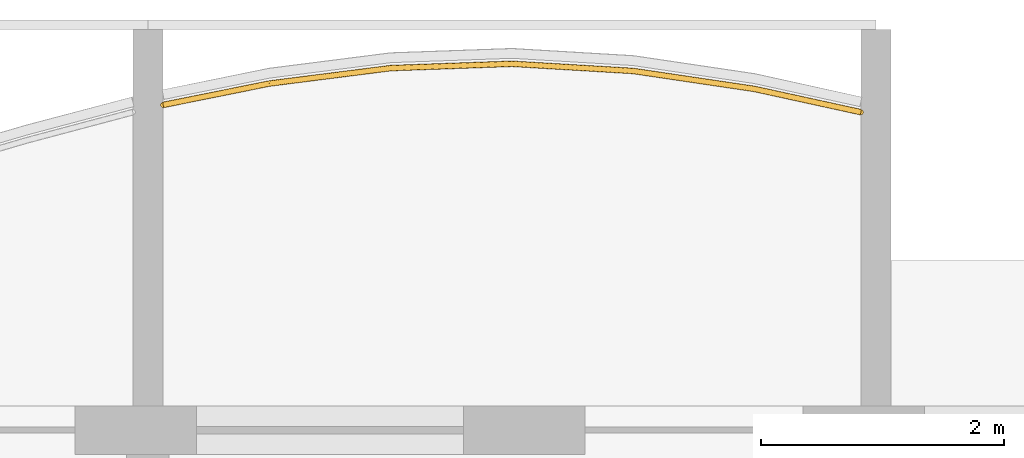
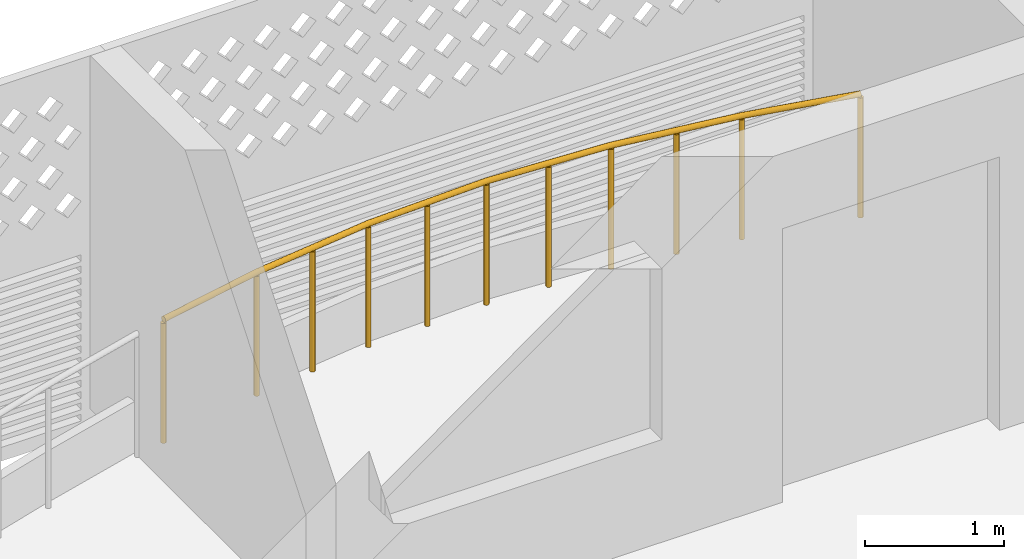
# One storey, part 24 of 28: 1 railing.
"""IFC4 building model written with IfcOpenShell, lengths in metres."""

from ifc_helpers import new_model, si_unit, direction, frame, origin, origin_2d, place, context, subcontext, project, spatial, circle, extrude, material, type_object, element, save


model = new_model("IFC4")

# Units and contexts
model_context = context("Model", 3, precision=1e-05, world=origin(), true_north=direction((0.0, 1.0)))
body_context = subcontext(model_context, "Body", "Model", "MODEL_VIEW")
ifc_project = project(units=[si_unit("LENGTHUNIT", "METRE"), si_unit("AREAUNIT", "SQUARE_METRE"), si_unit("VOLUMEUNIT", "CUBIC_METRE"), si_unit("PLANEANGLEUNIT", "RADIAN"), si_unit("MASSUNIT", "GRAM", prefix="KILO")], contexts=[model_context])

# Site, building, storey
site_placement = place(None, origin())
site = spatial("IfcSite", under=ifc_project, at=site_placement, CompositionType="ELEMENT")
building_placement = place(site_placement, origin())
building = spatial("IfcBuilding", under=site, at=building_placement, Name="Poui Terraces", CompositionType="ELEMENT")
storey_placement = place(building_placement, frame((0.0, 0.0, 72.89990234375)))
storey = spatial("IfcBuildingStorey", under=building, at=storey_placement, Name="L19", CompositionType="ELEMENT", Elevation=72.89990234375)

# Railing
ifc_material = material(Name="Painted steel fretwork", Category="steel")
railing_type = type_object("IfcRailingType", Name="BALCONY GUARD 1100", PredefinedType="GUARDRAIL", material=ifc_material)
railing_placement = place(storey_placement, frame((54.125, 46.280029296875, 0.0)))
element("IfcRailing", 1, at=railing_placement, inside=storey, type_object=railing_type, Name="BALCONY GUARD", PredefinedType="GUARDRAIL", context=body_context, shape_type="SweptSolid", body=[
    extrude(circle(Radius=0.02392578125, at=origin_2d()), frame((0.0, 0.0, 1.076171875), z_axis=(0.98030619905, 0.197483559072, 0.0), x_axis=(-0.197483559072, 0.98030619905, 0.0)), (0.0, 0.0, 1.0), 0.892578125),
    extrude(circle(Radius=0.02392578125, at=origin_2d()), frame((0.875, 0.17626953125, 1.076171875), z_axis=(0.992007284566, 0.126180614077, 0.0), x_axis=(-0.126180614077, 0.992007284566, 0.0)), (0.0, 0.0, 1.0), 1.008056640625),
    extrude(circle(Radius=0.02392578125, at=origin_2d()), frame((1.875, 0.303466796875, 1.076171875), z_axis=(0.999365338401, 0.035621909035, 0.0), x_axis=(-0.035621909035, 0.999365338401, 0.0)), (0.0, 0.0, 1.0), 1.000732421875),
    extrude(circle(Radius=0.02392578125, at=origin_2d()), frame((2.875, 0.339111328125, 1.076171875), z_axis=(0.998244834412, -0.05922204462, 0.0), x_axis=(0.05922204462, 0.998244834412, 0.0)), (0.0, 0.0, 1.0), 1.001708984375),
    extrude(circle(Radius=0.02392578125, at=origin_2d()), frame((3.875, 0.27978515625, 1.076171875), z_axis=(0.989196978079, -0.146592423265, 0.0), x_axis=(0.146592423265, 0.989196978079, 0.0)), (0.0, 0.0, 1.0), 1.010986328125),
    extrude(circle(Radius=0.02392578125, at=origin_2d()), frame((4.875, 0.131591796875, 1.076171875), z_axis=(0.97695688845, -0.213436730931, 0.0), x_axis=(0.213436730931, 0.97695688845, 0.0)), (0.0, 0.0, 1.0), 0.895751953125),
    extrude(circle(Radius=0.02099609375, at=origin_2d()), origin(), (0.0, 0.0, 1.0), 1.052001953125),
    extrude(circle(Radius=0.02099609375, at=origin_2d()), frame((0.875, 0.17626953125, 0.0)), (0.0, 0.0, 1.0), 1.052001953125),
    extrude(circle(Radius=0.02099609375, at=origin_2d()), frame((1.375, 0.23974609375, 0.0)), (0.0, 0.0, 1.0), 1.052001953125),
    extrude(circle(Radius=0.02099609375, at=origin_2d()), frame((1.875, 0.303466796875, 0.0)), (0.0, 0.0, 1.0), 1.052001953125),
    extrude(circle(Radius=0.02099609375, at=origin_2d()), frame((2.375, 0.3212890625, 0.0)), (0.0, 0.0, 1.0), 1.052001953125),
    extrude(circle(Radius=0.02099609375, at=origin_2d()), frame((2.875, 0.339111328125, 0.0)), (0.0, 0.0, 1.0), 1.052001953125),
    extrude(circle(Radius=0.02099609375, at=origin_2d()), frame((3.375, 0.3095703125, 0.0)), (0.0, 0.0, 1.0), 1.052001953125),
    extrude(circle(Radius=0.02099609375, at=origin_2d()), frame((3.875, 0.27978515625, 0.0)), (0.0, 0.0, 1.0), 1.052001953125),
    extrude(circle(Radius=0.02099609375, at=origin_2d()), frame((4.375, 0.20556640625, 0.0)), (0.0, 0.0, 1.0), 1.052001953125),
    extrude(circle(Radius=0.02099609375, at=origin_2d()), frame((4.875, 0.131591796875, 0.0)), (0.0, 0.0, 1.0), 1.052001953125),
    extrude(circle(Radius=0.02099609375, at=origin_2d()), frame((5.75, -0.0595703125, 0.0)), (0.0, 0.0, 1.0), 1.052001953125),
])

save(model, "model.ifc")
